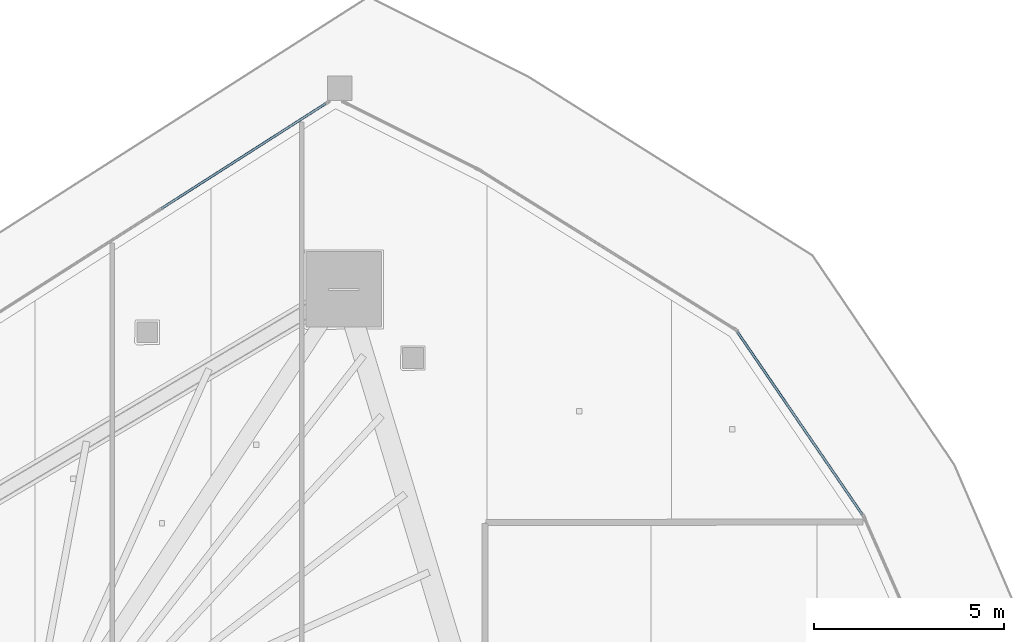
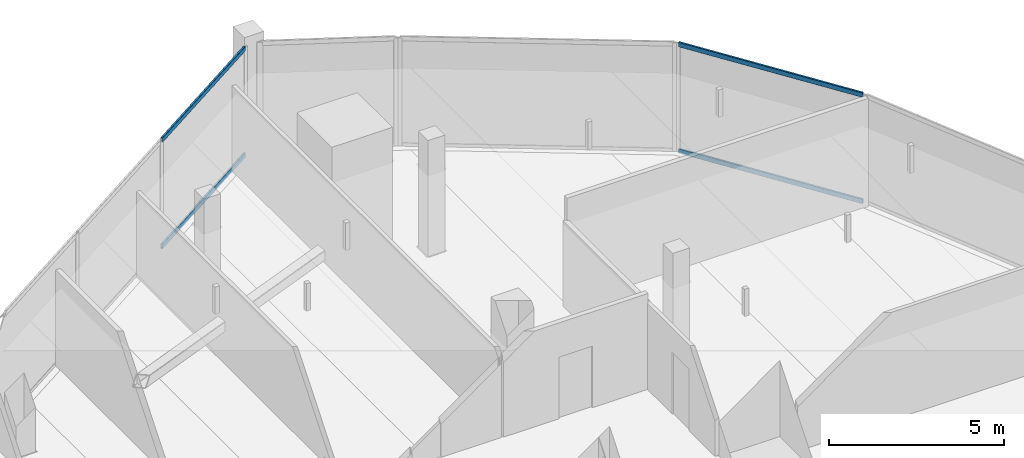
# One storey, part 26 of 43: 4 members, 2 elements without a shape of their own.
"""IFC4 building model written with IfcOpenShell, lengths in metres."""

from ifc_helpers import new_model, si_unit, direction, frame, origin, origin_2d, place, context, subcontext, project, spatial, hollow_rectangle, extrude, material, layer, layer_set, material_profile, profile_set, type_object, element, aggregate, save


model = new_model("IFC4")

# Units and contexts
model_context = context("Model", 3, precision=1e-05, world=origin(), true_north=direction((0.0, 1.0)))
body_context = subcontext(model_context, "Body", "Model", "MODEL_VIEW")
ifc_project = project(units=[si_unit("LENGTHUNIT", "METRE"), si_unit("AREAUNIT", "SQUARE_METRE"), si_unit("VOLUMEUNIT", "CUBIC_METRE"), si_unit("PLANEANGLEUNIT", "RADIAN"), si_unit("MASSUNIT", "GRAM", prefix="KILO")], contexts=[model_context])

# Site, building, storey
site_placement = place(None, origin())
site = spatial("IfcSite", under=ifc_project, at=site_placement, CompositionType="ELEMENT")
building_placement = place(site_placement, origin())
building = spatial("IfcBuilding", under=site, at=building_placement, Name="Qorvath Tower", CompositionType="ELEMENT")
storey_placement = place(building_placement, frame((0.0, 0.0, 213.14990234375)))
storey = spatial("IfcBuildingStorey", under=building, at=storey_placement, Name="L49", CompositionType="ELEMENT", Elevation=213.14990234375)

# Curtain wall, members
ifc_material_1 = material(Name="Anodised aluminium and triple low-E glass", Category="aluminium")
ifc_layer = layer(ifc_material_1, 0.179931640625)
ifc_layer_set = layer_set([ifc_layer], Name="CW-SYS-3")
curtain_wall_type = type_object("IfcCurtainWallType", Name="CW-SYS-3", PredefinedType="NOTDEFINED", material=ifc_layer_set)
curtain_wall_1_placement = place(storey_placement, origin())
curtain_wall_1 = element("IfcCurtainWall", 1, at=curtain_wall_1_placement, inside=storey, type_object=curtain_wall_type, Name="Curtain Wall CW-3 CW-T-L49-13.1", PredefinedType="NOTDEFINED")
ifc_material_2 = material(Name="Anodised aluminium 6063-T6", Category="aluminium")
ifc_material_profile = material_profile(ifc_material_2, hollow_rectangle(XDim=0.06494140625, YDim=0.159912109375, WallThickness=0.00341796875, InnerFilletRadius=0.00341796875, OuterFilletRadius=0.007080078125, at=origin_2d()), Name="CWT 160x65")
ifc_profile_set = profile_set([ifc_material_profile], Name="Anodised aluminium 6063-T6")
member_type = type_object("IfcMemberType", Name="CWT-160", PredefinedType="USERDEFINED", material=ifc_profile_set)
member_1_placement = place(storey_placement, frame((-3.197265625, 15.685302734375, 0.032470703125), z_axis=(-0.564688413816, 0.825304183499, 0.0), x_axis=(-0.825304183499, -0.564688413816, 0.0)))
member_1 = element("IfcMember", 2, at=member_1_placement, type_object=member_type, Name="CW-3 transom 1.1", ObjectType="TRANSOM", PredefinedType="USERDEFINED", context=body_context, shape_type="SweptSolid", body=[
    extrude(hollow_rectangle(XDim=0.06494140625, YDim=0.159912109375, WallThickness=0.00341796875, InnerFilletRadius=0.00341796875, OuterFilletRadius=0.007080078125, at=origin_2d()), origin(), (0.0, 0.0, 1.0), 5.837158203125),
])
member_2_placement = place(storey_placement, frame((-3.197265625, 15.685302734375, 3.74755859375), z_axis=(-0.564688413816, 0.825304183499, 0.0), x_axis=(-0.825304183499, -0.564688413816, 0.0)))
member_2 = element("IfcMember", 3, at=member_2_placement, type_object=member_type, Name="CW-3 transom 1.2", ObjectType="TRANSOM", PredefinedType="USERDEFINED", context=body_context, shape_type="SweptSolid", body=[
    extrude(hollow_rectangle(XDim=0.06494140625, YDim=0.159912109375, WallThickness=0.00341796875, InnerFilletRadius=0.00341796875, OuterFilletRadius=0.007080078125, at=origin_2d()), origin(), (0.0, 0.0, 1.0), 5.837158203125),
])
aggregate(curtain_wall_1, [member_1, member_2])

curtain_wall_2_placement = place(storey_placement, origin())
curtain_wall_2 = element("IfcCurtainWall", 4, at=curtain_wall_2_placement, inside=storey, type_object=curtain_wall_type, Name="Curtain Wall CW-3 CW-T-L49-16.1", PredefinedType="NOTDEFINED")
member_3_placement = place(storey_placement, frame((-17.3505859375, 26.524169921875, 0.032470703125), z_axis=(-0.842596979859, -0.538544640241, 0.0), x_axis=(0.538544640241, -0.842596979859, 0.0)))
member_3 = element("IfcMember", 5, at=member_3_placement, type_object=member_type, Name="CW-3 transom 1.1", ObjectType="TRANSOM", PredefinedType="USERDEFINED", context=body_context, shape_type="SweptSolid", body=[
    extrude(hollow_rectangle(XDim=0.06494140625, YDim=0.159912109375, WallThickness=0.00341796875, InnerFilletRadius=0.00341796875, OuterFilletRadius=0.007080078125, at=origin_2d()), origin(), (0.0, 0.0, 1.0), 5.145263671875),
])
member_4_placement = place(storey_placement, frame((-17.3505859375, 26.524169921875, 3.74755859375), z_axis=(-0.842596979859, -0.538544640241, 0.0), x_axis=(0.538544640241, -0.842596979859, 0.0)))
member_4 = element("IfcMember", 6, at=member_4_placement, type_object=member_type, Name="CW-3 transom 1.2", ObjectType="TRANSOM", PredefinedType="USERDEFINED", context=body_context, shape_type="SweptSolid", body=[
    extrude(hollow_rectangle(XDim=0.06494140625, YDim=0.159912109375, WallThickness=0.00341796875, InnerFilletRadius=0.00341796875, OuterFilletRadius=0.007080078125, at=origin_2d()), origin(), (0.0, 0.0, 1.0), 5.145263671875),
])
aggregate(curtain_wall_2, [member_3, member_4])

save(model, "model.ifc")
